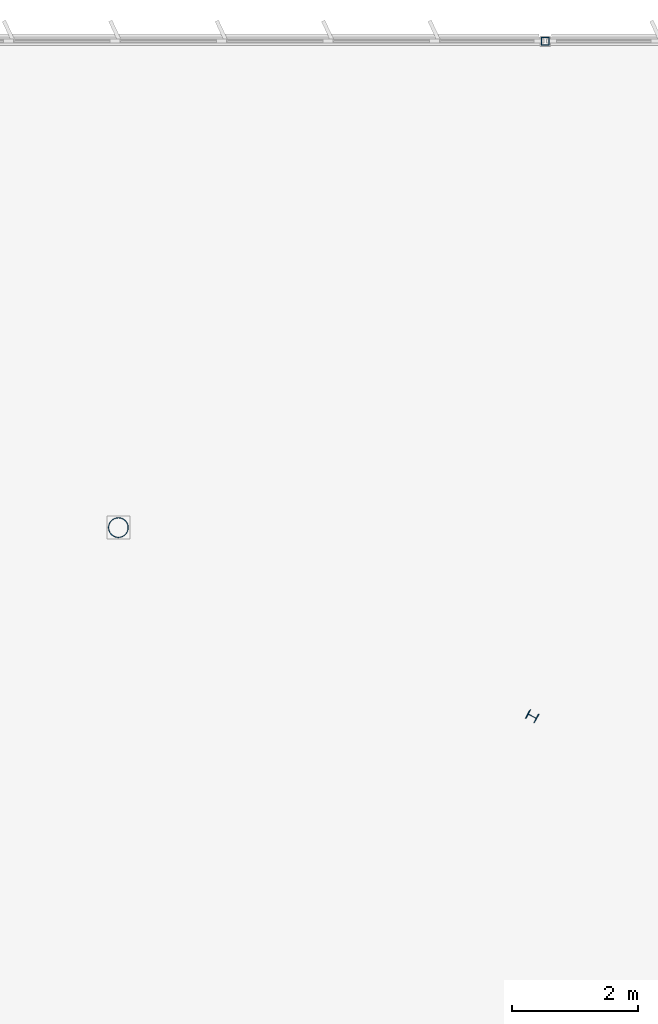
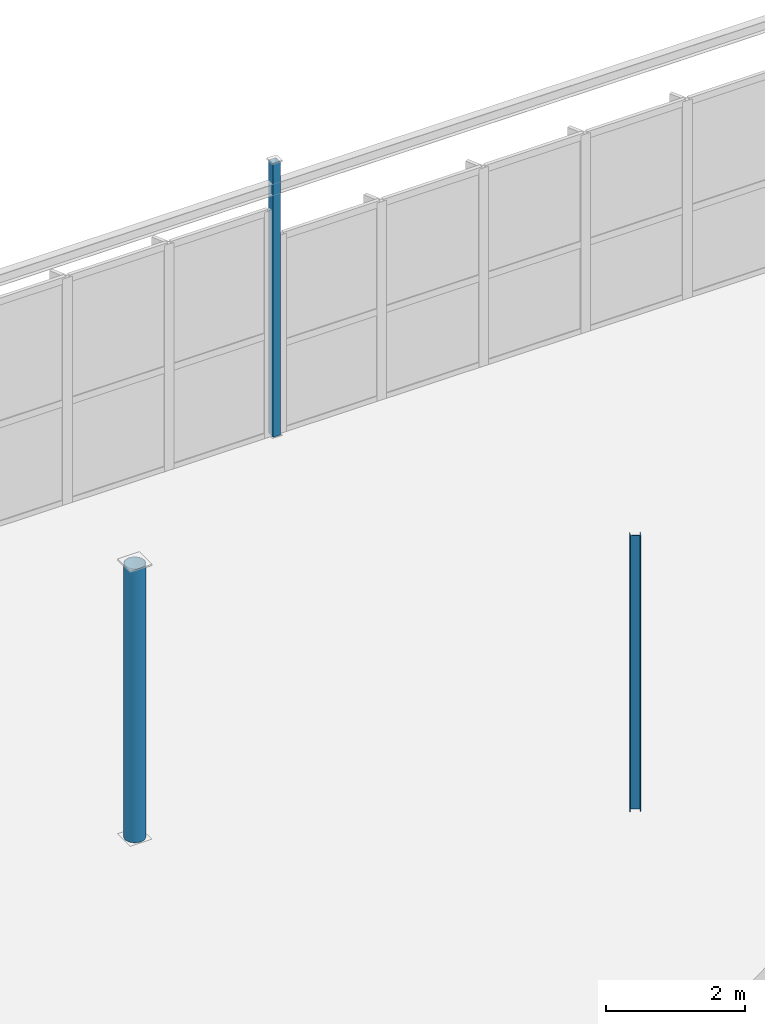
# One storey, part 37 of 226: 3 columns.
"""IFC4 building model written with IfcOpenShell, lengths in metres."""

from ifc_helpers import new_model, si_unit, direction, frame, origin, origin_2d, place, context, subcontext, project, spatial, hollow_rectangle, hollow_circle, i_section, extrude, material, material_profile, profile_set, type_object, element, save


model = new_model("IFC4")

# Units and contexts
model_context = context("Model", 3, precision=1e-05, world=origin(), true_north=direction((0.0, 1.0)))
body_context = subcontext(model_context, "Body", "Model", "MODEL_VIEW")
ifc_project = project(units=[si_unit("LENGTHUNIT", "METRE"), si_unit("AREAUNIT", "SQUARE_METRE"), si_unit("VOLUMEUNIT", "CUBIC_METRE"), si_unit("PLANEANGLEUNIT", "RADIAN"), si_unit("MASSUNIT", "GRAM", prefix="KILO")], contexts=[model_context])

# Site, building, storey
site_placement = place(None, origin())
site = spatial("IfcSite", under=ifc_project, at=site_placement, CompositionType="ELEMENT")
building_placement = place(site_placement, origin())
building = spatial("IfcBuilding", under=site, at=building_placement, Name="Tarnwether General Hospital", CompositionType="ELEMENT")
storey_placement = place(building_placement, frame((0.0, 0.0, 4.800048828125)))
storey = spatial("IfcBuildingStorey", under=building, at=storey_placement, Name="L01", CompositionType="ELEMENT", Elevation=4.800048828125)

# Columns
ifc_material_1 = material(Name="Steel Grade C350L0 (350 MPa)", Category="steel")
ifc_material_profile_1 = material_profile(ifc_material_1, hollow_circle(Radius=0.161865234375, WallThickness=0.0126953125, at=origin_2d()), Name="CHS323.9x12.7")
ifc_profile_set_1 = profile_set([ifc_material_profile_1], Name="Steel Grade C350L0 (350 MPa)")
column_type_1 = type_object("IfcColumnType", Name="COL-26", PredefinedType="COLUMN", material=ifc_profile_set_1)
column_1_placement = place(storey_placement, frame((113.215087890625, 118.26806640625, 0.0), z_axis=(0.0, 0.0, 1.0), x_axis=(0.358367949545, 0.933580426497, 0.0)))
element("IfcColumn", 1, at=column_1_placement, inside=storey, type_object=column_type_1, Name="Column COLG-L01-11322_11827", PredefinedType="COLUMN", context=body_context, shape_type="SweptSolid", body=[
    extrude(hollow_circle(Radius=0.161865234375, WallThickness=0.0126953125, at=origin_2d()), origin(), (0.0, 0.0, 1.0), 4.800048828125),
])
ifc_material_2 = material(Name="Steel Grade 350 (350 MPa)", Category="steel")
ifc_material_profile_2 = material_profile(ifc_material_2, i_section(OverallWidth=0.154052734375, OverallDepth=0.162109375, WebThickness=0.008056640625, FlangeThickness=0.011474609375, at=origin_2d()), Name="150UC37.2")
ifc_profile_set_2 = profile_set([ifc_material_profile_2], Name="Steel Grade 350 (350 MPa)")
column_type_2 = type_object("IfcColumnType", Name="COL-28", PredefinedType="COLUMN", material=ifc_profile_set_2)
column_2_placement = place(storey_placement, frame((119.79296875, 115.27001953125, 0.0), z_axis=(0.0, 0.0, 1.0), x_axis=(0.469471562786, 0.882947592859, 0.0)))
element("IfcColumn", 2, at=column_2_placement, inside=storey, type_object=column_type_2, Name="Column COLG-L01-11979_11527", PredefinedType="COLUMN", context=body_context, shape_type="SweptSolid", body=[
    extrude(i_section(OverallWidth=0.154052734375, OverallDepth=0.162109375, WebThickness=0.008056640625, FlangeThickness=0.011474609375, at=origin_2d()), origin(), (0.0, 0.0, 1.0), 4.800048828125),
])
ifc_material_3 = material(Name="Steel Grade C350L0 (350 MPa)", Category="steel")
ifc_material_profile_3 = material_profile(ifc_material_3, hollow_rectangle(XDim=0.125, YDim=0.125, WallThickness=0.006103515625, at=origin_2d()), Name="SHS125x125x6")
ifc_profile_set_3 = profile_set([ifc_material_profile_3], Name="Steel Grade C350L0 (350 MPa)")
column_type_3 = type_object("IfcColumnType", Name="COL-34", PredefinedType="COLUMN", material=ifc_profile_set_3)
column_3_placement = place(storey_placement, frame((120.0, 126.0, 0.0), z_axis=(0.0, 0.0, 1.0), x_axis=(1.0, 0.0, 0.0)))
element("IfcColumn", 3, at=column_3_placement, inside=storey, type_object=column_type_3, Name="Column COLG-L01-12000_12600", PredefinedType="COLUMN", context=body_context, shape_type="SweptSolid", body=[
    extrude(hollow_rectangle(XDim=0.125, YDim=0.125, WallThickness=0.006103515625, at=origin_2d()), origin(), (0.0, 0.0, 1.0), 4.800048828125),
])

save(model, "model.ifc")
